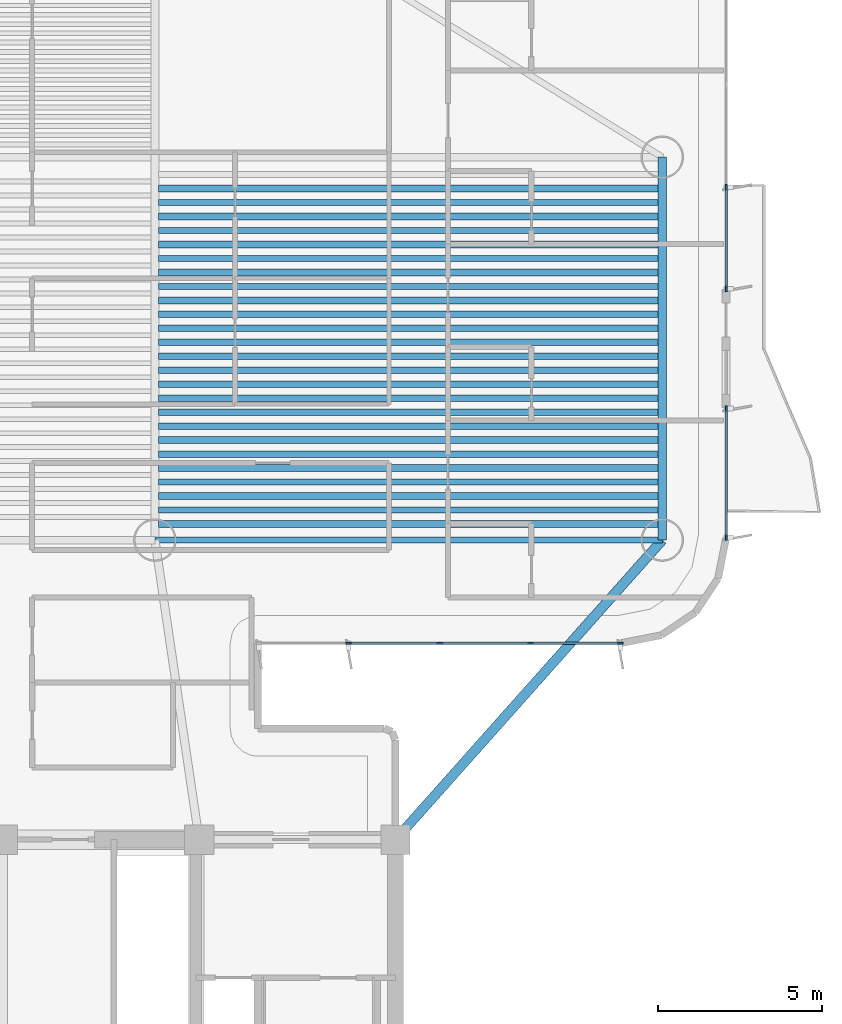
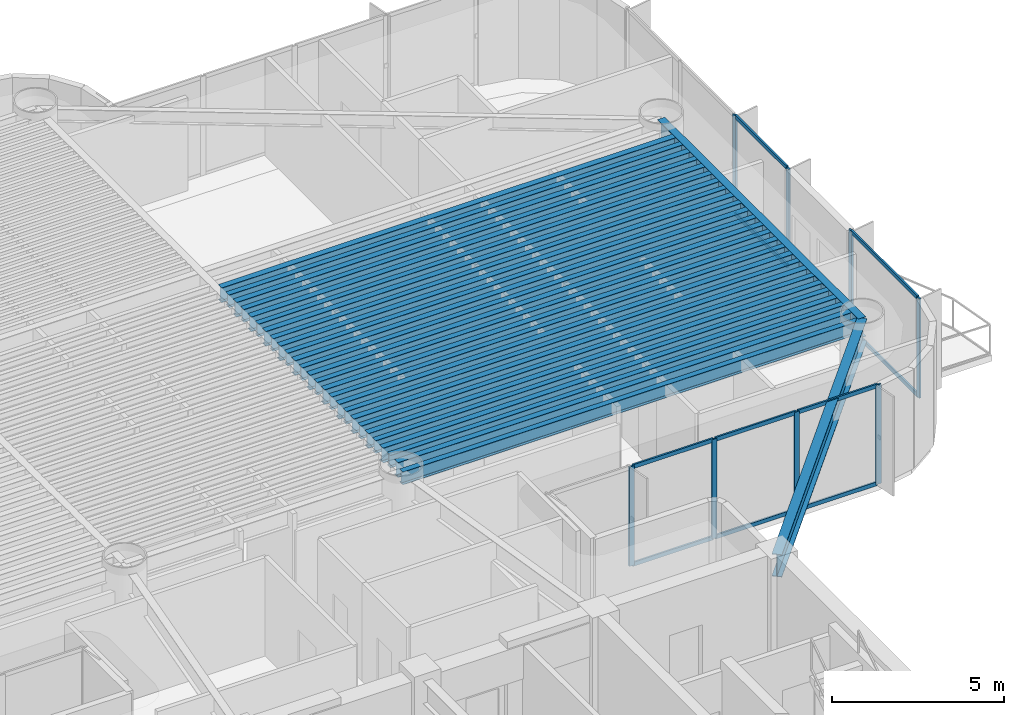
# One storey, part 4 of 17: 28 beams, 18 members, 3 elements without a shape of their own.
"""IFC4 building model written with IfcOpenShell, lengths in metres."""

from ifc_helpers import new_model, si_unit, direction, frame, origin, origin_2d, place, context, subcontext, project, spatial, rectangle, i_section, extrude, source, transform, mapped, material, layer, layer_set, material_profile, profile_set, type_object, element, aggregate, save


model = new_model("IFC4")

# Units and contexts
model_context = context("Model", 3, precision=1e-05, world=origin(), true_north=direction((0.0, 1.0)))
body_context = subcontext(model_context, "Body", "Model", "MODEL_VIEW")
ifc_project = project(units=[si_unit("LENGTHUNIT", "METRE"), si_unit("AREAUNIT", "SQUARE_METRE"), si_unit("VOLUMEUNIT", "CUBIC_METRE"), si_unit("PLANEANGLEUNIT", "RADIAN"), si_unit("MASSUNIT", "GRAM", prefix="KILO")], contexts=[model_context])

# Site, building, storey
site_placement = place(None, origin())
site = spatial("IfcSite", under=ifc_project, at=site_placement, CompositionType="ELEMENT")
building_placement = place(site_placement, origin())
building = spatial("IfcBuilding", under=site, at=building_placement, Name="Brelvock Crest Care Tower", CompositionType="ELEMENT")
storey_placement = place(building_placement, frame((0.0, 0.0, 131.39990234375)))
storey = spatial("IfcBuildingStorey", under=building, at=storey_placement, Name="L33", CompositionType="ELEMENT", Elevation=131.39990234375)

# Beams
ifc_material_1 = material(Name="Steel Grade 350", Category="steel")
ifc_material_profile_1 = material_profile(ifc_material_1, i_section(OverallWidth=0.208984375, OverallDepth=0.532958984375, WebThickness=0.01025390625, FlangeThickness=0.015625, FilletRadius=0.013916015625, at=origin_2d()), Name="530UB92.4")
ifc_profile_set_1 = profile_set([ifc_material_profile_1], Name="Steel Grade 350")
beam_type_1 = type_object("IfcBeamType", Name="BM-G2", PredefinedType="BEAM", material=ifc_profile_set_1)
shared_shape_1 = source(origin(), body_context, "Body", "SweptSolid", [
    extrude(i_section(OverallWidth=0.208984375, OverallDepth=0.532958984375, WebThickness=0.01025390625, FlangeThickness=0.015625, FilletRadius=0.013916015625, at=origin_2d()), origin(), (0.0, 0.0, 1.0), 15.27001953125),
])
for number, where, z_axis, x_axis, name in (
    (1, (40.764892578125, 27.641357421875, 3.263671875), (1.0, 0.0, 0.0), (0.0, 1.0, 0.0), "BM-JE-L33-1"),
    (2, (40.764892578125, 28.49560546875, 3.263671875), (1.0, 0.0, 0.0), (0.0, 1.0, 0.0), "BM-JE-L33-3"),
    (3, (40.764892578125, 29.349609375, 3.263671875), (1.0, 0.0, 0.0), (0.0, 1.0, 0.0), "BM-JE-L33-5"),
    (4, (40.764892578125, 30.20361328125, 3.263671875), (1.0, 0.0, 0.0), (0.0, 1.0, 0.0), "BM-JE-L33-7"),
    (5, (40.764892578125, 31.057861328125, 3.263671875), (1.0, 0.0, 0.0), (0.0, 1.0, 0.0), "BM-JE-L33-9"),
    (6, (40.764892578125, 31.911865234375, 3.263671875), (1.0, 0.0, 0.0), (0.0, 1.0, 0.0), "BM-JE-L33-11"),
    (7, (40.764892578125, 32.76611328125, 3.263671875), (1.0, 0.0, 0.0), (0.0, 1.0, 0.0), "BM-JE-L33-13"),
    (8, (40.764892578125, 33.6201171875, 3.263671875), (1.0, 0.0, 0.0), (0.0, 1.0, 0.0), "BM-JE-L33-15"),
    (9, (40.764892578125, 34.47412109375, 3.263671875), (1.0, 0.0, 0.0), (0.0, 1.0, 0.0), "BM-JE-L33-17"),
    (10, (40.764892578125, 35.328369140625, 3.263671875), (1.0, 0.0, 0.0), (0.0, 1.0, 0.0), "BM-JE-L33-19"),
    (11, (40.764892578125, 36.182373046875, 3.263671875), (1.0, 0.0, 0.0), (0.0, 1.0, 0.0), "BM-JE-L33-21"),
    (12, (40.764892578125, 37.03662109375, 3.263671875), (1.0, 0.0, 0.0), (0.0, 1.0, 0.0), "BM-JE-L33-23"),
    (13, (40.764892578125, 37.890625, 3.263671875), (1.0, 0.0, 0.0), (0.0, 1.0, 0.0), "BM-JE-L33-25"),
):
    element("IfcBeam", number, at=place(storey_placement, frame(where, z_axis=z_axis, x_axis=x_axis)), inside=storey, type_object=beam_type_1, Name=name, PredefinedType="BEAM", context=body_context, shape_type="MappedRepresentation", body=[
        mapped(shared_shape_1, transform((0.0, 0.0, 0.0), x_axis=(1.0, 0.0, 0.0), y_axis=(0.0, 1.0, 0.0), z_axis=(0.0, 0.0, 1.0), scale=1.0)),
    ])
ifc_material_profile_2 = material_profile(ifc_material_1, i_section(OverallWidth=0.19091796875, OverallDepth=0.4599609375, WebThickness=0.010009765625, FlangeThickness=0.01611328125, FilletRadius=0.011474609375, at=origin_2d()), Name="460UB82.1")
ifc_profile_set_2 = profile_set([ifc_material_profile_2], Name="Steel Grade 350")
beam_type_2 = type_object("IfcBeamType", Name="BM-G3", PredefinedType="BEAM", material=ifc_profile_set_2)
shared_shape_2 = source(origin(), body_context, "Body", "SweptSolid", [
    extrude(i_section(OverallWidth=0.19091796875, OverallDepth=0.4599609375, WebThickness=0.010009765625, FlangeThickness=0.01611328125, FilletRadius=0.011474609375, at=origin_2d()), origin(), (0.0, 0.0, 1.0), 15.27001953125),
])
for number, where, z_axis, x_axis, name in (
    (14, (40.764892578125, 28.068359375, 3.300048828125), (1.0, 0.0, 0.0), (0.0, 1.0, 0.0), "BM-JE-L33-2"),
    (15, (40.764892578125, 28.922607421875, 3.300048828125), (1.0, 0.0, 0.0), (0.0, 1.0, 0.0), "BM-JE-L33-4"),
    (16, (40.764892578125, 29.776611328125, 3.300048828125), (1.0, 0.0, 0.0), (0.0, 1.0, 0.0), "BM-JE-L33-6"),
    (17, (40.764892578125, 30.630615234375, 3.300048828125), (1.0, 0.0, 0.0), (0.0, 1.0, 0.0), "BM-JE-L33-8"),
    (18, (40.764892578125, 31.48486328125, 3.300048828125), (1.0, 0.0, 0.0), (0.0, 1.0, 0.0), "BM-JE-L33-10"),
    (19, (40.764892578125, 32.3388671875, 3.300048828125), (1.0, 0.0, 0.0), (0.0, 1.0, 0.0), "BM-JE-L33-12"),
    (20, (40.764892578125, 33.193115234375, 3.300048828125), (1.0, 0.0, 0.0), (0.0, 1.0, 0.0), "BM-JE-L33-14"),
    (21, (40.764892578125, 34.047119140625, 3.300048828125), (1.0, 0.0, 0.0), (0.0, 1.0, 0.0), "BM-JE-L33-16"),
    (22, (40.764892578125, 34.901123046875, 3.300048828125), (1.0, 0.0, 0.0), (0.0, 1.0, 0.0), "BM-JE-L33-18"),
    (23, (40.764892578125, 35.75537109375, 3.300048828125), (1.0, 0.0, 0.0), (0.0, 1.0, 0.0), "BM-JE-L33-20"),
    (24, (40.764892578125, 36.609619140625, 3.300048828125), (1.0, 0.0, 0.0), (0.0, 1.0, 0.0), "BM-JE-L33-22"),
    (25, (40.764892578125, 37.46337890625, 3.300048828125), (1.0, 0.0, 0.0), (0.0, 1.0, 0.0), "BM-JE-L33-24"),
):
    element("IfcBeam", number, at=place(storey_placement, frame(where, z_axis=z_axis, x_axis=x_axis)), inside=storey, type_object=beam_type_2, Name=name, PredefinedType="BEAM", context=body_context, shape_type="MappedRepresentation", body=[
        mapped(shared_shape_2, transform((0.0, 0.0, 0.0), x_axis=(1.0, 0.0, 0.0), y_axis=(0.0, 1.0, 0.0), z_axis=(0.0, 0.0, 1.0), scale=1.0)),
    ])
ifc_material_profile_3 = material_profile(ifc_material_1, i_section(OverallWidth=0.25, OverallDepth=0.699951171875, WebThickness=0.011962890625, FlangeThickness=0.02001953125, at=origin_2d()), Name="700WB150")
ifc_profile_set_3 = profile_set([ifc_material_profile_3], Name="Steel Grade 350")
beam_type_3 = type_object("IfcBeamType", Name="BM-G4", PredefinedType="BEAM", material=ifc_profile_set_3)
shared_shape_3 = source(origin(), body_context, "Body", "SweptSolid", [
    extrude(i_section(OverallWidth=0.25, OverallDepth=0.699951171875, WebThickness=0.011962890625, FlangeThickness=0.02001953125, at=origin_2d()), origin(), (0.0, 0.0, 1.0), 11.7001953125),
])
beam_1_placement = place(storey_placement, frame((56.14990234375, 27.14990234375, 3.18017578125), z_axis=(0.0, 1.0, 0.0), x_axis=(-1.0, 0.0, 0.0)))
element("IfcBeam", 26, at=beam_1_placement, inside=storey, type_object=beam_type_3, Name="BM-TWR-L33-02", PredefinedType="BEAM", context=body_context, shape_type="MappedRepresentation", body=[
    mapped(shared_shape_3, transform((0.0, 0.0, 0.0), x_axis=(1.0, 0.0, 0.0), y_axis=(0.0, 1.0, 0.0), z_axis=(0.0, 0.0, 1.0), scale=1.0)),
])
ifc_material_profile_4 = material_profile(ifc_material_1, i_section(OverallWidth=0.19091796875, OverallDepth=0.4599609375, WebThickness=0.010009765625, FlangeThickness=0.01611328125, FilletRadius=0.011474609375, at=origin_2d()), Name="460UB82.1")
ifc_profile_set_4 = profile_set([ifc_material_profile_4], Name="Steel Grade 350")
beam_type_4 = type_object("IfcBeamType", Name="BM-SP2", PredefinedType="SPANDREL", material=ifc_profile_set_4)
shared_shape_4 = source(origin(), body_context, "Body", "SweptSolid", [
    extrude(i_section(OverallWidth=0.19091796875, OverallDepth=0.4599609375, WebThickness=0.010009765625, FlangeThickness=0.01611328125, FilletRadius=0.011474609375, at=origin_2d()), origin(), (0.0, 0.0, 1.0), 15.5),
])
beam_2_placement = place(storey_placement, frame((40.64990234375, 27.14990234375, 3.300048828125), z_axis=(1.0, 0.0, 0.0), x_axis=(0.0, 1.0, 0.0)))
element("IfcBeam", 27, at=beam_2_placement, inside=storey, type_object=beam_type_4, Name="BM-TWR-L33-04", PredefinedType="SPANDREL", context=body_context, shape_type="MappedRepresentation", body=[
    mapped(shared_shape_4, transform((0.0, 0.0, 0.0), x_axis=(1.0, 0.0, 0.0), y_axis=(0.0, 1.0, 0.0), z_axis=(0.0, 0.0, 1.0), scale=1.0)),
])
ifc_material_profile_5 = material_profile(ifc_material_1, i_section(OverallWidth=0.300048828125, OverallDepth=0.800048828125, WebThickness=0.013916015625, FlangeThickness=0.02197265625, at=origin_2d()), Name="800WB192")
ifc_profile_set_5 = profile_set([ifc_material_profile_5], Name="Steel Grade 350")
beam_type_5 = type_object("IfcBeamType", Name="BM-G5", PredefinedType="BEAM", material=ifc_profile_set_5)
shared_shape_5 = source(origin(), body_context, "Body", "SweptSolid", [
    extrude(i_section(OverallWidth=0.300048828125, OverallDepth=0.800048828125, WebThickness=0.013916015625, FlangeThickness=0.02197265625, at=origin_2d()), origin(), (0.0, 0.0, 1.0), 12.253173828125),
])
beam_3_placement = place(storey_placement, frame((48.0, 18.0, 3.130126953125), z_axis=(0.665122829149, 0.746733970129, 0.0), x_axis=(-0.746733970129, 0.665122829149, 0.0)))
element("IfcBeam", 28, at=beam_3_placement, inside=storey, type_object=beam_type_5, Name="BM-THRO-E-L33", PredefinedType="BEAM", context=body_context, shape_type="MappedRepresentation", body=[
    mapped(shared_shape_5, transform((0.0, 0.0, 0.0), x_axis=(1.0, 0.0, 0.0), y_axis=(0.0, 1.0, 0.0), z_axis=(0.0, 0.0, 1.0), scale=1.0)),
])

# Curtain wall, members
ifc_material_2 = material(Name="Dark Glass Double Glazed Low-E", Category="glass")
ifc_layer = layer(ifc_material_2, 0.2099609375, Name="CWS-3")
ifc_layer_set = layer_set([ifc_layer], Name="Dark Glass Double Glazed Low-E")
curtain_wall_type = type_object("IfcCurtainWallType", Name="CWS-3", PredefinedType="NOTDEFINED", material=ifc_layer_set)
curtain_wall_1_placement = place(storey_placement, origin())
curtain_wall_1 = element("IfcCurtainWall", 29, at=curtain_wall_1_placement, inside=storey, type_object=curtain_wall_type, Name="L33 Curtain Wall E39A", PredefinedType="NOTDEFINED")
ifc_material_3 = material(Name="Aluminium 6063-T6", Category="aluminium")
ifc_material_profile_6 = material_profile(ifc_material_3, rectangle(XDim=0.06005859375, YDim=0.179931640625, at=origin_2d()), Name="ALU60x180")
ifc_profile_set_6 = profile_set([ifc_material_profile_6], Name="Aluminium 6063-T6")
member_type_1 = type_object("IfcMemberType", Name="CWM-2", PredefinedType="MULLION", material=ifc_profile_set_6)
shared_shape_6 = source(origin(), body_context, "Body", "SweptSolid", [
    extrude(rectangle(XDim=0.06005859375, YDim=0.179931640625, at=origin_2d()), origin(), (0.0, 0.0, 1.0), 3.530029296875),
])
member_1_placement = place(storey_placement, frame((58.10009765625, 37.933349609375, 0.0), z_axis=(0.0, 0.0, 1.0), x_axis=(1.0, 0.0, 0.0)))
member_1 = element("IfcMember", 30, at=member_1_placement, type_object=member_type_1, Name="CW-3 mullion 3", PredefinedType="MULLION", context=body_context, shape_type="MappedRepresentation", body=[
    mapped(shared_shape_6, transform((0.0, 0.0, 0.0), x_axis=(1.0, 0.0, 0.0), y_axis=(0.0, 1.0, 0.0), z_axis=(0.0, 0.0, 1.0), scale=1.0)),
])
member_2_placement = place(storey_placement, frame((58.10009765625, 34.830078125, 0.0), z_axis=(0.0, 0.0, 1.0), x_axis=(1.0, 0.0, 0.0)))
member_2 = element("IfcMember", 31, at=member_2_placement, type_object=member_type_1, Name="CW-3 mullion 4", PredefinedType="MULLION", context=body_context, shape_type="MappedRepresentation", body=[
    mapped(shared_shape_6, transform((0.0, 0.0, 0.0), x_axis=(1.0, 0.0, 0.0), y_axis=(0.0, 1.0, 0.0), z_axis=(0.0, 0.0, 1.0), scale=1.0)),
])

curtain_wall_2_placement = place(storey_placement, origin())
curtain_wall_2 = element("IfcCurtainWall", 32, at=curtain_wall_2_placement, inside=storey, type_object=curtain_wall_type, Name="L33 Curtain Wall E39B", PredefinedType="NOTDEFINED")
member_3_placement = place(storey_placement, frame((58.10009765625, 31.169921875, 0.0), z_axis=(0.0, 0.0, 1.0), x_axis=(1.0, 0.0, 0.0)))
member_3 = element("IfcMember", 33, at=member_3_placement, type_object=member_type_1, Name="CW-3 mullion 1", PredefinedType="MULLION", context=body_context, shape_type="MappedRepresentation", body=[
    mapped(shared_shape_6, transform((0.0, 0.0, 0.0), x_axis=(1.0, 0.0, 0.0), y_axis=(0.0, 1.0, 0.0), z_axis=(0.0, 0.0, 1.0), scale=1.0)),
])
member_4_placement = place(storey_placement, frame((58.10009765625, 27.22998046875, 0.0), z_axis=(0.0, 0.0, 1.0), x_axis=(1.0, 0.0, 0.0)))
member_4 = element("IfcMember", 34, at=member_4_placement, type_object=member_type_1, Name="CW-3 mullion 2", PredefinedType="MULLION", context=body_context, shape_type="MappedRepresentation", body=[
    mapped(shared_shape_6, transform((0.0, 0.0, 0.0), x_axis=(1.0, 0.0, 0.0), y_axis=(0.0, 1.0, 0.0), z_axis=(0.0, 0.0, 1.0), scale=1.0)),
])

curtain_wall_3_placement = place(storey_placement, origin())
curtain_wall_3 = element("IfcCurtainWall", 35, at=curtain_wall_3_placement, inside=storey, type_object=curtain_wall_type, Name="L33 Curtain Wall E44", PredefinedType="NOTDEFINED")
member_5_placement = place(storey_placement, frame((54.8701171875, 24.0, 0.0), z_axis=(0.0, 0.0, 1.0), x_axis=(0.0, -1.0, 0.0)))
member_5 = element("IfcMember", 36, at=member_5_placement, type_object=member_type_1, Name="CW-3 mullion 1", PredefinedType="MULLION", context=body_context, shape_type="MappedRepresentation", body=[
    mapped(shared_shape_6, transform((0.0, 0.0, 0.0), x_axis=(1.0, 0.0, 0.0), y_axis=(0.0, 1.0, 0.0), z_axis=(0.0, 0.0, 1.0), scale=1.0)),
])
member_6_placement = place(storey_placement, frame((52.125, 24.0, 0.0), z_axis=(0.0, 0.0, 1.0), x_axis=(0.0, -1.0, 0.0)))
member_6 = element("IfcMember", 37, at=member_6_placement, type_object=member_type_1, Name="CW-3 mullion 2", PredefinedType="MULLION", context=body_context, shape_type="MappedRepresentation", body=[
    mapped(shared_shape_6, transform((0.0, 0.0, 0.0), x_axis=(1.0, 0.0, 0.0), y_axis=(0.0, 1.0, 0.0), z_axis=(0.0, 0.0, 1.0), scale=1.0)),
])
member_7_placement = place(storey_placement, frame((49.35009765625, 24.0, 0.0), z_axis=(0.0, 0.0, 1.0), x_axis=(0.0, -1.0, 0.0)))
member_7 = element("IfcMember", 38, at=member_7_placement, type_object=member_type_1, Name="CW-3 mullion 3", PredefinedType="MULLION", context=body_context, shape_type="MappedRepresentation", body=[
    mapped(shared_shape_6, transform((0.0, 0.0, 0.0), x_axis=(1.0, 0.0, 0.0), y_axis=(0.0, 1.0, 0.0), z_axis=(0.0, 0.0, 1.0), scale=1.0)),
])
member_8_placement = place(storey_placement, frame((46.574951171875, 24.0, 0.0), z_axis=(0.0, 0.0, 1.0), x_axis=(0.0, -1.0, 0.0)))
member_8 = element("IfcMember", 39, at=member_8_placement, type_object=member_type_1, Name="CW-3 mullion 4", PredefinedType="MULLION", context=body_context, shape_type="MappedRepresentation", body=[
    mapped(shared_shape_6, transform((0.0, 0.0, 0.0), x_axis=(1.0, 0.0, 0.0), y_axis=(0.0, 1.0, 0.0), z_axis=(0.0, 0.0, 1.0), scale=1.0)),
])
ifc_material_profile_7 = material_profile(ifc_material_3, rectangle(XDim=0.06005859375, YDim=0.139892578125, at=origin_2d()), Name="ALU60x140")
ifc_profile_set_7 = profile_set([ifc_material_profile_7], Name="Aluminium 6063-T6")
member_type_2 = type_object("IfcMemberType", Name="CWT-2", PredefinedType="USERDEFINED", material=ifc_profile_set_7)
shared_shape_7 = source(origin(), body_context, "Body", "SweptSolid", [
    extrude(rectangle(XDim=0.06005859375, YDim=0.139892578125, at=origin_2d()), origin(), (0.0, 0.0, 1.0), 2.715087890625),
])
member_9_placement = place(storey_placement, frame((52.094970703125, 24.0, 0.030029296875), z_axis=(-1.0, 0.0, 0.0), x_axis=(0.0, -1.0, 0.0)))
member_9 = element("IfcMember", 40, at=member_9_placement, type_object=member_type_2, Name="CW-3 transom 2.1", ObjectType="TRANSOM", PredefinedType="USERDEFINED", context=body_context, shape_type="MappedRepresentation", body=[
    mapped(shared_shape_7, transform((0.0, 0.0, 0.0), x_axis=(1.0, 0.0, 0.0), y_axis=(0.0, 1.0, 0.0), z_axis=(0.0, 0.0, 1.0), scale=1.0)),
])
member_10_placement = place(storey_placement, frame((52.094970703125, 24.0, 3.5), z_axis=(-1.0, 0.0, 0.0), x_axis=(0.0, -1.0, 0.0)))
member_10 = element("IfcMember", 41, at=member_10_placement, type_object=member_type_2, Name="CW-3 transom 2.2", ObjectType="TRANSOM", PredefinedType="USERDEFINED", context=body_context, shape_type="MappedRepresentation", body=[
    mapped(shared_shape_7, transform((0.0, 0.0, 0.0), x_axis=(1.0, 0.0, 0.0), y_axis=(0.0, 1.0, 0.0), z_axis=(0.0, 0.0, 1.0), scale=1.0)),
])
member_11_placement = place(storey_placement, frame((49.320068359375, 24.0, 0.030029296875), z_axis=(-1.0, 0.0, 0.0), x_axis=(0.0, -1.0, 0.0)))
member_11 = element("IfcMember", 42, at=member_11_placement, type_object=member_type_2, Name="CW-3 transom 3.1", ObjectType="TRANSOM", PredefinedType="USERDEFINED", context=body_context, shape_type="MappedRepresentation", body=[
    mapped(shared_shape_7, transform((0.0, 0.0, 0.0), x_axis=(1.0, 0.0, 0.0), y_axis=(0.0, 1.0, 0.0), z_axis=(0.0, 0.0, 1.0), scale=1.0)),
])
member_12_placement = place(storey_placement, frame((49.320068359375, 24.0, 3.5), z_axis=(-1.0, 0.0, 0.0), x_axis=(0.0, -1.0, 0.0)))
member_12 = element("IfcMember", 43, at=member_12_placement, type_object=member_type_2, Name="CW-3 transom 3.2", ObjectType="TRANSOM", PredefinedType="USERDEFINED", context=body_context, shape_type="MappedRepresentation", body=[
    mapped(shared_shape_7, transform((0.0, 0.0, 0.0), x_axis=(1.0, 0.0, 0.0), y_axis=(0.0, 1.0, 0.0), z_axis=(0.0, 0.0, 1.0), scale=1.0)),
])
shared_shape_8 = source(origin(), body_context, "Body", "SweptSolid", [
    extrude(rectangle(XDim=0.06005859375, YDim=0.139892578125, at=origin_2d()), origin(), (0.0, 0.0, 1.0), 2.68505859375),
])
member_13_placement = place(storey_placement, frame((54.840087890625, 24.0, 0.030029296875), z_axis=(-1.0, 0.0, 0.0), x_axis=(0.0, -1.0, 0.0)))
member_13 = element("IfcMember", 44, at=member_13_placement, type_object=member_type_2, Name="CW-3 transom 1.1", ObjectType="TRANSOM", PredefinedType="USERDEFINED", context=body_context, shape_type="MappedRepresentation", body=[
    mapped(shared_shape_8, transform((0.0, 0.0, 0.0), x_axis=(1.0, 0.0, 0.0), y_axis=(0.0, 1.0, 0.0), z_axis=(0.0, 0.0, 1.0), scale=1.0)),
])
member_14_placement = place(storey_placement, frame((54.840087890625, 24.0, 3.5), z_axis=(-1.0, 0.0, 0.0), x_axis=(0.0, -1.0, 0.0)))
member_14 = element("IfcMember", 45, at=member_14_placement, type_object=member_type_2, Name="CW-3 transom 1.2", ObjectType="TRANSOM", PredefinedType="USERDEFINED", context=body_context, shape_type="MappedRepresentation", body=[
    mapped(shared_shape_8, transform((0.0, 0.0, 0.0), x_axis=(1.0, 0.0, 0.0), y_axis=(0.0, 1.0, 0.0), z_axis=(0.0, 0.0, 1.0), scale=1.0)),
])
aggregate(curtain_wall_3, [member_5, member_6, member_7, member_8, member_13, member_14, member_9, member_10, member_11, member_12])

# Member
shared_shape_9 = source(origin(), body_context, "Body", "SweptSolid", [
    extrude(rectangle(XDim=0.06005859375, YDim=0.139892578125, at=origin_2d()), origin(), (0.0, 0.0, 1.0), 3.8798828125),
])
member_15_placement = place(storey_placement, frame((58.10009765625, 31.139892578125, 0.030029296875), z_axis=(0.0, -1.0, 0.0), x_axis=(1.0, 0.0, 0.0)))
member_15 = element("IfcMember", 46, at=member_15_placement, type_object=member_type_2, Name="CW-3 transom 1.1", ObjectType="TRANSOM", PredefinedType="USERDEFINED", context=body_context, shape_type="MappedRepresentation", body=[
    mapped(shared_shape_9, transform((0.0, 0.0, 0.0), x_axis=(1.0, 0.0, 0.0), y_axis=(0.0, 1.0, 0.0), z_axis=(0.0, 0.0, 1.0), scale=1.0)),
])

member_16_placement = place(storey_placement, frame((58.10009765625, 31.139892578125, 3.5), z_axis=(0.0, -1.0, 0.0), x_axis=(1.0, 0.0, 0.0)))
member_16 = element("IfcMember", 47, at=member_16_placement, type_object=member_type_2, Name="CW-3 transom 1.2", ObjectType="TRANSOM", PredefinedType="USERDEFINED", context=body_context, shape_type="MappedRepresentation", body=[
    mapped(shared_shape_9, transform((0.0, 0.0, 0.0), x_axis=(1.0, 0.0, 0.0), y_axis=(0.0, 1.0, 0.0), z_axis=(0.0, 0.0, 1.0), scale=1.0)),
])

aggregate(curtain_wall_2, [member_3, member_4, member_15, member_16])

shared_shape_10 = source(origin(), body_context, "Body", "SweptSolid", [
    extrude(rectangle(XDim=0.06005859375, YDim=0.139892578125, at=origin_2d()), origin(), (0.0, 0.0, 1.0), 3.043212890625),
])
member_17_placement = place(storey_placement, frame((58.10009765625, 37.9033203125, 0.030029296875), z_axis=(0.0, -1.0, 0.0), x_axis=(1.0, 0.0, 0.0)))
member_17 = element("IfcMember", 48, at=member_17_placement, type_object=member_type_2, Name="CW-3 transom 3.1", ObjectType="TRANSOM", PredefinedType="USERDEFINED", context=body_context, shape_type="MappedRepresentation", body=[
    mapped(shared_shape_10, transform((0.0, 0.0, 0.0), x_axis=(1.0, 0.0, 0.0), y_axis=(0.0, 1.0, 0.0), z_axis=(0.0, 0.0, 1.0), scale=1.0)),
])

member_18_placement = place(storey_placement, frame((58.10009765625, 37.9033203125, 3.5), z_axis=(0.0, -1.0, 0.0), x_axis=(1.0, 0.0, 0.0)))
member_18 = element("IfcMember", 49, at=member_18_placement, type_object=member_type_2, Name="CW-3 transom 3.2", ObjectType="TRANSOM", PredefinedType="USERDEFINED", context=body_context, shape_type="MappedRepresentation", body=[
    mapped(shared_shape_10, transform((0.0, 0.0, 0.0), x_axis=(1.0, 0.0, 0.0), y_axis=(0.0, 1.0, 0.0), z_axis=(0.0, 0.0, 1.0), scale=1.0)),
])

aggregate(curtain_wall_1, [member_1, member_2, member_17, member_18])

save(model, "model.ifc")
